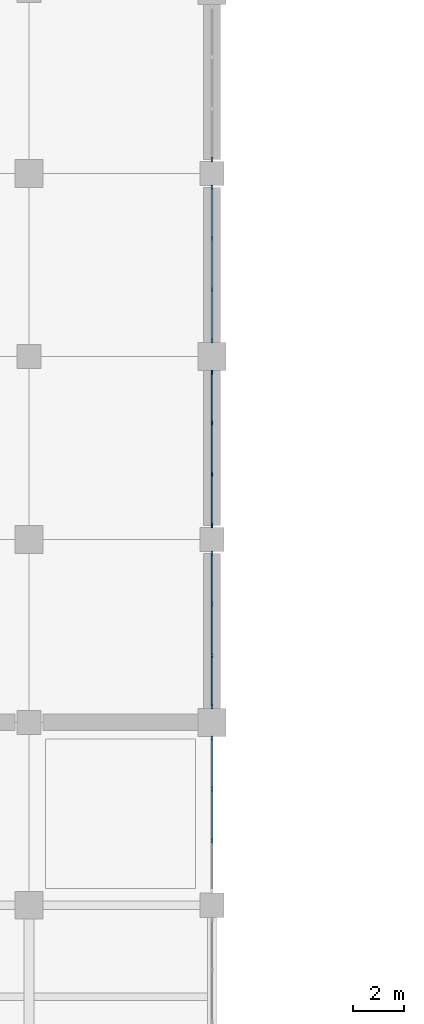
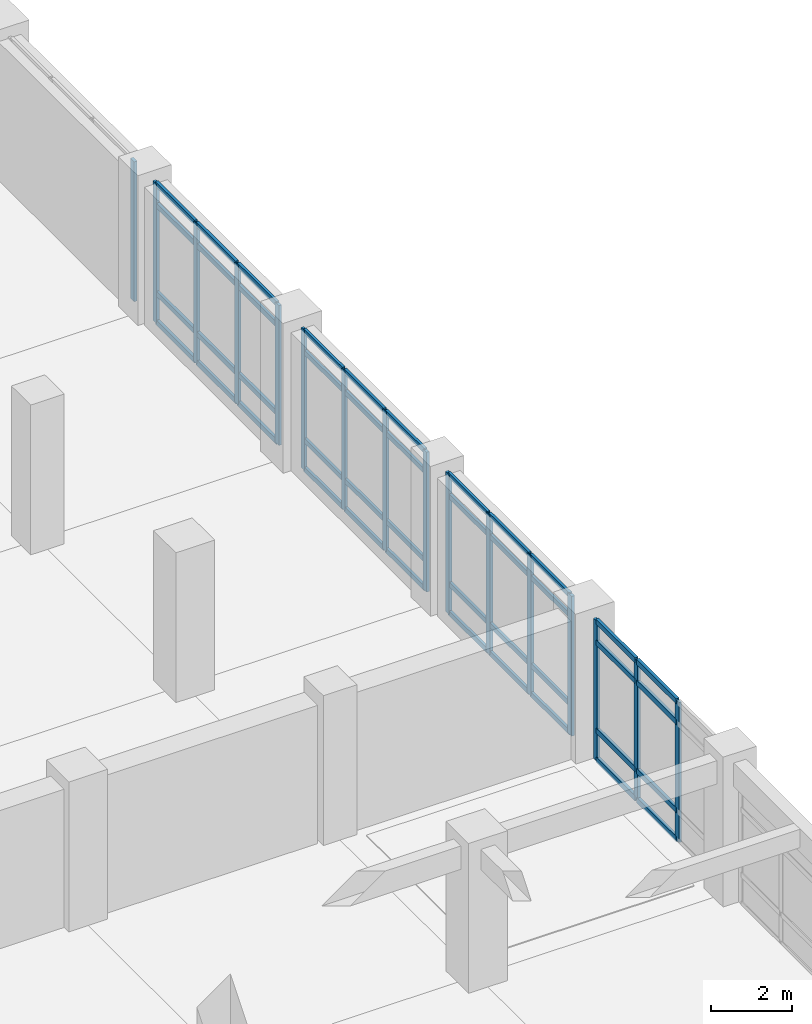
# One storey, part 7 of 81: 60 members, 5 elements without a shape of their own.
"""IFC4 building model written with IfcOpenShell, lengths in metres."""

from ifc_helpers import new_model, si_unit, direction, frame, origin, origin_2d, place, context, subcontext, project, spatial, rectangle, extrude, material, layer, layer_set, material_profile, profile_set, type_object, element, aggregate, save


model = new_model("IFC4")

# Units and contexts
model_context = context("Model", 3, precision=1e-05, world=origin(), true_north=direction((0.0, 1.0)))
body_context = subcontext(model_context, "Body", "Model", "MODEL_VIEW")
ifc_project = project(units=[si_unit("LENGTHUNIT", "METRE"), si_unit("AREAUNIT", "SQUARE_METRE"), si_unit("VOLUMEUNIT", "CUBIC_METRE"), si_unit("PLANEANGLEUNIT", "RADIAN"), si_unit("MASSUNIT", "GRAM", prefix="KILO")], contexts=[model_context])

# Site, building, storey
site_placement = place(None, origin())
site = spatial("IfcSite", under=ifc_project, at=site_placement, CompositionType="ELEMENT")
building_placement = place(site_placement, origin())
building = spatial("IfcBuilding", under=site, at=building_placement, Name="Kavelor Marine Aquarium", CompositionType="ELEMENT")
storey_placement = place(building_placement, frame((0.0, 0.0, 4.679931640625)))
storey = spatial("IfcBuildingStorey", under=building, at=storey_placement, Name="L01", CompositionType="ELEMENT", Elevation=4.679931640625)

# Curtain wall, members
ifc_material_1 = material(Name="Thermally Broken Aluminium and Low-E Glass", Category="aluminium")
ifc_layer_1 = layer(ifc_material_1, 0.2919921875)
ifc_layer_set_1 = layer_set([ifc_layer_1], Name="CW-SYS19")
curtain_wall_type_1 = type_object("IfcCurtainWallType", Name="CW-SYS19", PredefinedType="USERDEFINED", material=ifc_layer_set_1)
curtain_wall_1_placement = place(storey_placement, origin())
curtain_wall_1 = element("IfcCurtainWall", 1, at=curtain_wall_1_placement, inside=storey, type_object=curtain_wall_type_1, Name="cw:y:L01:05_06", ObjectType="Curtain Wall", PredefinedType="USERDEFINED")
ifc_material_2 = material(Name="Anodised Aluminium Alloy 6063-T6", Category="aluminium")
ifc_material_profile_1 = material_profile(ifc_material_2, rectangle(XDim=0.074951171875, YDim=0.179931640625, at=origin_2d()), Name="CW-MUL 75x180")
ifc_profile_set_1 = profile_set([ifc_material_profile_1], Name="Anodised Aluminium Alloy 6063-T6")
member_type_1 = type_object("IfcMemberType", Name="CWM-1", PredefinedType="MULLION", material=ifc_profile_set_1)
member_1_placement = place(storey_placement, frame((39.199951171875, 46.5576171875, 0.0), z_axis=(0.0, 0.0, 1.0), x_axis=(-1.0, 0.0, 0.0)))
member_1 = element("IfcMember", 2, at=member_1_placement, type_object=member_type_1, Name="CW19 mullion 1", PredefinedType="MULLION", context=body_context, shape_type="SweptSolid", body=[
    extrude(rectangle(XDim=0.074951171875, YDim=0.179931640625, at=origin_2d()), origin(), (0.0, 0.0, 1.0), 4.199951171875),
])
member_2_placement = place(storey_placement, frame((39.199951171875, 48.54833984375, 0.0), z_axis=(0.0, 0.0, 1.0), x_axis=(-1.0, 0.0, 0.0)))
member_2 = element("IfcMember", 3, at=member_2_placement, type_object=member_type_1, Name="CW19 mullion 2", PredefinedType="MULLION", context=body_context, shape_type="SweptSolid", body=[
    extrude(rectangle(XDim=0.074951171875, YDim=0.179931640625, at=origin_2d()), origin(), (0.0, 0.0, 1.0), 4.199951171875),
])
member_3_placement = place(storey_placement, frame((39.199951171875, 50.57666015625, 0.0), z_axis=(0.0, 0.0, 1.0), x_axis=(-1.0, 0.0, 0.0)))
member_3 = element("IfcMember", 4, at=member_3_placement, type_object=member_type_1, Name="CW19 mullion 3", PredefinedType="MULLION", context=body_context, shape_type="SweptSolid", body=[
    extrude(rectangle(XDim=0.074951171875, YDim=0.179931640625, at=origin_2d()), origin(), (0.0, 0.0, 1.0), 4.199951171875),
])
member_4_placement = place(storey_placement, frame((39.199951171875, 52.5673828125, 0.0), z_axis=(0.0, 0.0, 1.0), x_axis=(-1.0, 0.0, 0.0)))
member_4 = element("IfcMember", 5, at=member_4_placement, type_object=member_type_1, Name="CW19 mullion 4", PredefinedType="MULLION", context=body_context, shape_type="SweptSolid", body=[
    extrude(rectangle(XDim=0.074951171875, YDim=0.179931640625, at=origin_2d()), origin(), (0.0, 0.0, 1.0), 4.199951171875),
])

ifc_material_3 = material(Name="Thermally Broken Aluminium and Low-E Glass", Category="aluminium")
ifc_layer_2 = layer(ifc_material_3, 0.27587890625)
ifc_layer_set_2 = layer_set([ifc_layer_2], Name="CW-SYS17")
curtain_wall_type_2 = type_object("IfcCurtainWallType", Name="CW-SYS17", PredefinedType="USERDEFINED", material=ifc_layer_set_2)
curtain_wall_2_placement = place(storey_placement, origin())
curtain_wall_2 = element("IfcCurtainWall", 6, at=curtain_wall_2_placement, inside=storey, type_object=curtain_wall_type_2, Name="cw:y:L01:05_04", ObjectType="Curtain Wall", PredefinedType="USERDEFINED")
ifc_material_4 = material(Name="Anodised Aluminium Alloy 6063-T6", Category="aluminium")
ifc_material_profile_2 = material_profile(ifc_material_4, rectangle(XDim=0.080078125, YDim=0.18505859375, at=origin_2d()), Name="CW-MUL 80x185")
ifc_profile_set_2 = profile_set([ifc_material_profile_2], Name="Anodised Aluminium Alloy 6063-T6")
member_type_2 = type_object("IfcMemberType", Name="CWM-2", PredefinedType="MULLION", material=ifc_profile_set_2)
member_5_placement = place(storey_placement, frame((39.199951171875, 34.1484375, 0.0), z_axis=(0.0, 0.0, 1.0), x_axis=(-1.0, 0.0, 0.0)))
member_5 = element("IfcMember", 7, at=member_5_placement, type_object=member_type_2, Name="CW17 mullion 2", PredefinedType="MULLION", context=body_context, shape_type="SweptSolid", body=[
    extrude(rectangle(XDim=0.080078125, YDim=0.18505859375, at=origin_2d()), origin(), (0.0, 0.0, 1.0), 4.199951171875),
])
member_6_placement = place(storey_placement, frame((39.199951171875, 36.1767578125, 0.0), z_axis=(0.0, 0.0, 1.0), x_axis=(-1.0, 0.0, 0.0)))
member_6 = element("IfcMember", 8, at=member_6_placement, type_object=member_type_2, Name="CW17 mullion 3", PredefinedType="MULLION", context=body_context, shape_type="SweptSolid", body=[
    extrude(rectangle(XDim=0.080078125, YDim=0.18505859375, at=origin_2d()), origin(), (0.0, 0.0, 1.0), 4.199951171875),
])
member_7_placement = place(storey_placement, frame((39.199951171875, 38.172607421875, 0.0), z_axis=(0.0, 0.0, 1.0), x_axis=(-1.0, 0.0, 0.0)))
member_7 = element("IfcMember", 9, at=member_7_placement, type_object=member_type_2, Name="CW17 mullion 4", PredefinedType="MULLION", context=body_context, shape_type="SweptSolid", body=[
    extrude(rectangle(XDim=0.080078125, YDim=0.18505859375, at=origin_2d()), origin(), (0.0, 0.0, 1.0), 4.199951171875),
])

ifc_material_5 = material(Name="Thermally Broken Aluminium and Low-E Glass", Category="aluminium")
ifc_layer_3 = layer(ifc_material_5, 0.300048828125)
ifc_layer_set_3 = layer_set([ifc_layer_3], Name="CW-SYS20")
curtain_wall_type_3 = type_object("IfcCurtainWallType", Name="CW-SYS20", PredefinedType="USERDEFINED", material=ifc_layer_set_3)
curtain_wall_3_placement = place(storey_placement, origin())
curtain_wall_3 = element("IfcCurtainWall", 10, at=curtain_wall_3_placement, inside=storey, type_object=curtain_wall_type_3, Name="cw:y:L01:05_07", ObjectType="Curtain Wall", PredefinedType="USERDEFINED")
member_8_placement = place(storey_placement, frame((39.199951171875, 53.827392578125, 0.0), z_axis=(0.0, 0.0, 1.0), x_axis=(-1.0, 0.0, 0.0)))
member_8 = element("IfcMember", 11, at=member_8_placement, type_object=member_type_2, Name="CW20 mullion 1", PredefinedType="MULLION", context=body_context, shape_type="SweptSolid", body=[
    extrude(rectangle(XDim=0.080078125, YDim=0.18505859375, at=origin_2d()), origin(), (0.0, 0.0, 1.0), 4.199951171875),
])
member_9_placement = place(storey_placement, frame((39.199951171875, 55.8232421875, 0.0), z_axis=(0.0, 0.0, 1.0), x_axis=(-1.0, 0.0, 0.0)))
member_9 = element("IfcMember", 12, at=member_9_placement, type_object=member_type_2, Name="CW20 mullion 2", PredefinedType="MULLION", context=body_context, shape_type="SweptSolid", body=[
    extrude(rectangle(XDim=0.080078125, YDim=0.18505859375, at=origin_2d()), origin(), (0.0, 0.0, 1.0), 4.199951171875),
])
member_10_placement = place(storey_placement, frame((39.199951171875, 57.8515625, 0.0), z_axis=(0.0, 0.0, 1.0), x_axis=(-1.0, 0.0, 0.0)))
member_10 = element("IfcMember", 13, at=member_10_placement, type_object=member_type_2, Name="CW20 mullion 3", PredefinedType="MULLION", context=body_context, shape_type="SweptSolid", body=[
    extrude(rectangle(XDim=0.080078125, YDim=0.18505859375, at=origin_2d()), origin(), (0.0, 0.0, 1.0), 4.199951171875),
])
member_11_placement = place(storey_placement, frame((39.199951171875, 59.847412109375, 0.0), z_axis=(0.0, 0.0, 1.0), x_axis=(-1.0, 0.0, 0.0)))
member_11 = element("IfcMember", 14, at=member_11_placement, type_object=member_type_2, Name="CW20 mullion 4", PredefinedType="MULLION", context=body_context, shape_type="SweptSolid", body=[
    extrude(rectangle(XDim=0.080078125, YDim=0.18505859375, at=origin_2d()), origin(), (0.0, 0.0, 1.0), 4.199951171875),
])

ifc_material_6 = material(Name="Thermally Broken Aluminium and Low-E Glass", Category="aluminium")
ifc_layer_4 = layer(ifc_material_6, 0.283935546875)
ifc_layer_set_4 = layer_set([ifc_layer_4], Name="CW-SYS18")
curtain_wall_type_4 = type_object("IfcCurtainWallType", Name="CW-SYS18", PredefinedType="USERDEFINED", material=ifc_layer_set_4)
curtain_wall_4_placement = place(storey_placement, origin())
curtain_wall_4 = element("IfcCurtainWall", 15, at=curtain_wall_4_placement, inside=storey, type_object=curtain_wall_type_4, Name="cw:y:L01:05_05", ObjectType="Curtain Wall", PredefinedType="USERDEFINED")
ifc_material_7 = material(Name="Anodised Aluminium Alloy 6063-T6", Category="aluminium")
ifc_material_profile_3 = material_profile(ifc_material_7, rectangle(XDim=0.0849609375, YDim=0.18994140625, at=origin_2d()), Name="CW-MUL 85x190")
ifc_profile_set_3 = profile_set([ifc_material_profile_3], Name="Anodised Aluminium Alloy 6063-T6")
member_type_3 = type_object("IfcMemberType", Name="CWM-3", PredefinedType="MULLION", material=ifc_profile_set_3)
member_12_placement = place(storey_placement, frame((39.199951171875, 39.425048828125, 0.0), z_axis=(0.0, 0.0, 1.0), x_axis=(-1.0, 0.0, 0.0)))
member_12 = element("IfcMember", 16, at=member_12_placement, type_object=member_type_3, Name="CW18 mullion 1", PredefinedType="MULLION", context=body_context, shape_type="SweptSolid", body=[
    extrude(rectangle(XDim=0.0849609375, YDim=0.18994140625, at=origin_2d()), origin(), (0.0, 0.0, 1.0), 4.199951171875),
])
member_13_placement = place(storey_placement, frame((39.199951171875, 41.42333984375, 0.0), z_axis=(0.0, 0.0, 1.0), x_axis=(-1.0, 0.0, 0.0)))
member_13 = element("IfcMember", 17, at=member_13_placement, type_object=member_type_3, Name="CW18 mullion 2", PredefinedType="MULLION", context=body_context, shape_type="SweptSolid", body=[
    extrude(rectangle(XDim=0.0849609375, YDim=0.18994140625, at=origin_2d()), origin(), (0.0, 0.0, 1.0), 4.199951171875),
])
member_14_placement = place(storey_placement, frame((39.199951171875, 43.45166015625, 0.0), z_axis=(0.0, 0.0, 1.0), x_axis=(-1.0, 0.0, 0.0)))
member_14 = element("IfcMember", 18, at=member_14_placement, type_object=member_type_3, Name="CW18 mullion 3", PredefinedType="MULLION", context=body_context, shape_type="SweptSolid", body=[
    extrude(rectangle(XDim=0.0849609375, YDim=0.18994140625, at=origin_2d()), origin(), (0.0, 0.0, 1.0), 4.199951171875),
])
member_15_placement = place(storey_placement, frame((39.199951171875, 45.449951171875, 0.0), z_axis=(0.0, 0.0, 1.0), x_axis=(-1.0, 0.0, 0.0)))
member_15 = element("IfcMember", 19, at=member_15_placement, type_object=member_type_3, Name="CW18 mullion 4", PredefinedType="MULLION", context=body_context, shape_type="SweptSolid", body=[
    extrude(rectangle(XDim=0.0849609375, YDim=0.18994140625, at=origin_2d()), origin(), (0.0, 0.0, 1.0), 4.199951171875),
])

# Curtain wall, member
ifc_material_8 = material(Name="Thermally Broken Aluminium and Low-E Glass", Category="aluminium")
ifc_layer_5 = layer(ifc_material_8, 0.30810546875)
ifc_layer_set_5 = layer_set([ifc_layer_5], Name="CW-SYS21")
curtain_wall_type_5 = type_object("IfcCurtainWallType", Name="CW-SYS21", PredefinedType="USERDEFINED", material=ifc_layer_set_5)
curtain_wall_5_placement = place(storey_placement, origin())
curtain_wall_5 = element("IfcCurtainWall", 20, at=curtain_wall_5_placement, inside=storey, type_object=curtain_wall_type_5, Name="cw:y:L01:05_08", ObjectType="Curtain Wall", PredefinedType="USERDEFINED")
member_16_placement = place(storey_placement, frame((39.199951171875, 60.949951171875, 0.0), z_axis=(0.0, 0.0, 1.0), x_axis=(-1.0, 0.0, 0.0)))
member_16 = element("IfcMember", 21, at=member_16_placement, type_object=member_type_3, Name="CW21 mullion 1", PredefinedType="MULLION", context=body_context, shape_type="SweptSolid", body=[
    extrude(rectangle(XDim=0.0849609375, YDim=0.18994140625, at=origin_2d()), origin(), (0.0, 0.0, 1.0), 4.199951171875),
])
aggregate(curtain_wall_5, [member_16])

# Member
ifc_material_9 = material(Name="Anodised Aluminium Alloy 6063-T6", Category="aluminium")
ifc_material_profile_4 = material_profile(ifc_material_9, rectangle(XDim=0.074951171875, YDim=0.14990234375, at=origin_2d()), Name="CW-TRN 75x150")
ifc_profile_set_4 = profile_set([ifc_material_profile_4], Name="Anodised Aluminium Alloy 6063-T6")
member_type_4 = type_object("IfcMemberType", Name="CWT-1", PredefinedType="USERDEFINED", material=ifc_profile_set_4)
member_17_placement = place(storey_placement, frame((39.199951171875, 39.455078125, 0.03759765625), z_axis=(0.0, 1.0, 0.0), x_axis=(-1.0, 0.0, 0.0)))
member_17 = element("IfcMember", 22, at=member_17_placement, type_object=member_type_4, Name="CW18 transom 1.1", ObjectType="TRANSOM", PredefinedType="USERDEFINED", context=body_context, shape_type="SweptSolid", body=[
    extrude(rectangle(XDim=0.074951171875, YDim=0.14990234375, at=origin_2d()), origin(), (0.0, 0.0, 1.0), 1.938232421875),
])

member_18_placement = place(storey_placement, frame((39.199951171875, 39.455078125, 0.900146484375), z_axis=(0.0, 1.0, 0.0), x_axis=(-1.0, 0.0, 0.0)))
member_18 = element("IfcMember", 23, at=member_18_placement, type_object=member_type_4, Name="CW18 transom 1.2", ObjectType="TRANSOM", PredefinedType="USERDEFINED", context=body_context, shape_type="SweptSolid", body=[
    extrude(rectangle(XDim=0.074951171875, YDim=0.14990234375, at=origin_2d()), origin(), (0.0, 0.0, 1.0), 1.938232421875),
])

member_19_placement = place(storey_placement, frame((39.199951171875, 39.455078125, 3.550048828125), z_axis=(0.0, 1.0, 0.0), x_axis=(-1.0, 0.0, 0.0)))
member_19 = element("IfcMember", 24, at=member_19_placement, type_object=member_type_4, Name="CW18 transom 1.3", ObjectType="TRANSOM", PredefinedType="USERDEFINED", context=body_context, shape_type="SweptSolid", body=[
    extrude(rectangle(XDim=0.074951171875, YDim=0.14990234375, at=origin_2d()), origin(), (0.0, 0.0, 1.0), 1.938232421875),
])

member_20_placement = place(storey_placement, frame((39.199951171875, 39.455078125, 4.16259765625), z_axis=(0.0, 1.0, 0.0), x_axis=(-1.0, 0.0, 0.0)))
member_20 = element("IfcMember", 25, at=member_20_placement, type_object=member_type_4, Name="CW18 transom 1.4", ObjectType="TRANSOM", PredefinedType="USERDEFINED", context=body_context, shape_type="SweptSolid", body=[
    extrude(rectangle(XDim=0.074951171875, YDim=0.14990234375, at=origin_2d()), origin(), (0.0, 0.0, 1.0), 1.938232421875),
])

member_21_placement = place(storey_placement, frame((39.199951171875, 41.453369140625, 0.03759765625), z_axis=(0.0, 1.0, 0.0), x_axis=(-1.0, 0.0, 0.0)))
member_21 = element("IfcMember", 26, at=member_21_placement, type_object=member_type_4, Name="CW18 transom 2.1", ObjectType="TRANSOM", PredefinedType="USERDEFINED", context=body_context, shape_type="SweptSolid", body=[
    extrude(rectangle(XDim=0.074951171875, YDim=0.14990234375, at=origin_2d()), origin(), (0.0, 0.0, 1.0), 1.96826171875),
])

member_22_placement = place(storey_placement, frame((39.199951171875, 41.453369140625, 0.900146484375), z_axis=(0.0, 1.0, 0.0), x_axis=(-1.0, 0.0, 0.0)))
member_22 = element("IfcMember", 27, at=member_22_placement, type_object=member_type_4, Name="CW18 transom 2.2", ObjectType="TRANSOM", PredefinedType="USERDEFINED", context=body_context, shape_type="SweptSolid", body=[
    extrude(rectangle(XDim=0.074951171875, YDim=0.14990234375, at=origin_2d()), origin(), (0.0, 0.0, 1.0), 1.96826171875),
])

member_23_placement = place(storey_placement, frame((39.199951171875, 41.453369140625, 3.550048828125), z_axis=(0.0, 1.0, 0.0), x_axis=(-1.0, 0.0, 0.0)))
member_23 = element("IfcMember", 28, at=member_23_placement, type_object=member_type_4, Name="CW18 transom 2.3", ObjectType="TRANSOM", PredefinedType="USERDEFINED", context=body_context, shape_type="SweptSolid", body=[
    extrude(rectangle(XDim=0.074951171875, YDim=0.14990234375, at=origin_2d()), origin(), (0.0, 0.0, 1.0), 1.96826171875),
])

member_24_placement = place(storey_placement, frame((39.199951171875, 41.453369140625, 4.16259765625), z_axis=(0.0, 1.0, 0.0), x_axis=(-1.0, 0.0, 0.0)))
member_24 = element("IfcMember", 29, at=member_24_placement, type_object=member_type_4, Name="CW18 transom 2.4", ObjectType="TRANSOM", PredefinedType="USERDEFINED", context=body_context, shape_type="SweptSolid", body=[
    extrude(rectangle(XDim=0.074951171875, YDim=0.14990234375, at=origin_2d()), origin(), (0.0, 0.0, 1.0), 1.96826171875),
])

member_25_placement = place(storey_placement, frame((39.199951171875, 43.481689453125, 0.03759765625), z_axis=(0.0, 1.0, 0.0), x_axis=(-1.0, 0.0, 0.0)))
member_25 = element("IfcMember", 30, at=member_25_placement, type_object=member_type_4, Name="CW18 transom 3.1", ObjectType="TRANSOM", PredefinedType="USERDEFINED", context=body_context, shape_type="SweptSolid", body=[
    extrude(rectangle(XDim=0.074951171875, YDim=0.14990234375, at=origin_2d()), origin(), (0.0, 0.0, 1.0), 1.938232421875),
])

member_26_placement = place(storey_placement, frame((39.199951171875, 43.481689453125, 0.900146484375), z_axis=(0.0, 1.0, 0.0), x_axis=(-1.0, 0.0, 0.0)))
member_26 = element("IfcMember", 31, at=member_26_placement, type_object=member_type_4, Name="CW18 transom 3.2", ObjectType="TRANSOM", PredefinedType="USERDEFINED", context=body_context, shape_type="SweptSolid", body=[
    extrude(rectangle(XDim=0.074951171875, YDim=0.14990234375, at=origin_2d()), origin(), (0.0, 0.0, 1.0), 1.938232421875),
])

member_27_placement = place(storey_placement, frame((39.199951171875, 43.481689453125, 3.550048828125), z_axis=(0.0, 1.0, 0.0), x_axis=(-1.0, 0.0, 0.0)))
member_27 = element("IfcMember", 32, at=member_27_placement, type_object=member_type_4, Name="CW18 transom 3.3", ObjectType="TRANSOM", PredefinedType="USERDEFINED", context=body_context, shape_type="SweptSolid", body=[
    extrude(rectangle(XDim=0.074951171875, YDim=0.14990234375, at=origin_2d()), origin(), (0.0, 0.0, 1.0), 1.938232421875),
])

member_28_placement = place(storey_placement, frame((39.199951171875, 43.481689453125, 4.16259765625), z_axis=(0.0, 1.0, 0.0), x_axis=(-1.0, 0.0, 0.0)))
member_28 = element("IfcMember", 33, at=member_28_placement, type_object=member_type_4, Name="CW18 transom 3.4", ObjectType="TRANSOM", PredefinedType="USERDEFINED", context=body_context, shape_type="SweptSolid", body=[
    extrude(rectangle(XDim=0.074951171875, YDim=0.14990234375, at=origin_2d()), origin(), (0.0, 0.0, 1.0), 1.938232421875),
])

aggregate(curtain_wall_4, [member_12, member_13, member_14, member_15, member_17, member_18, member_19, member_20, member_21, member_22, member_23, member_24, member_25, member_26, member_27, member_28])

member_29_placement = place(storey_placement, frame((39.199951171875, 46.594970703125, 0.03759765625), z_axis=(0.0, 1.0, 0.0), x_axis=(-1.0, 0.0, 0.0)))
member_29 = element("IfcMember", 34, at=member_29_placement, type_object=member_type_4, Name="CW19 transom 1.1", ObjectType="TRANSOM", PredefinedType="USERDEFINED", context=body_context, shape_type="SweptSolid", body=[
    extrude(rectangle(XDim=0.074951171875, YDim=0.14990234375, at=origin_2d()), origin(), (0.0, 0.0, 1.0), 1.915771484375),
])

member_30_placement = place(storey_placement, frame((39.199951171875, 46.594970703125, 0.900146484375), z_axis=(0.0, 1.0, 0.0), x_axis=(-1.0, 0.0, 0.0)))
member_30 = element("IfcMember", 35, at=member_30_placement, type_object=member_type_4, Name="CW19 transom 1.2", ObjectType="TRANSOM", PredefinedType="USERDEFINED", context=body_context, shape_type="SweptSolid", body=[
    extrude(rectangle(XDim=0.074951171875, YDim=0.14990234375, at=origin_2d()), origin(), (0.0, 0.0, 1.0), 1.915771484375),
])

member_31_placement = place(storey_placement, frame((39.199951171875, 46.594970703125, 3.550048828125), z_axis=(0.0, 1.0, 0.0), x_axis=(-1.0, 0.0, 0.0)))
member_31 = element("IfcMember", 36, at=member_31_placement, type_object=member_type_4, Name="CW19 transom 1.3", ObjectType="TRANSOM", PredefinedType="USERDEFINED", context=body_context, shape_type="SweptSolid", body=[
    extrude(rectangle(XDim=0.074951171875, YDim=0.14990234375, at=origin_2d()), origin(), (0.0, 0.0, 1.0), 1.915771484375),
])

member_32_placement = place(storey_placement, frame((39.199951171875, 46.594970703125, 4.16259765625), z_axis=(0.0, 1.0, 0.0), x_axis=(-1.0, 0.0, 0.0)))
member_32 = element("IfcMember", 37, at=member_32_placement, type_object=member_type_4, Name="CW19 transom 1.4", ObjectType="TRANSOM", PredefinedType="USERDEFINED", context=body_context, shape_type="SweptSolid", body=[
    extrude(rectangle(XDim=0.074951171875, YDim=0.14990234375, at=origin_2d()), origin(), (0.0, 0.0, 1.0), 1.915771484375),
])

member_33_placement = place(storey_placement, frame((39.199951171875, 48.5859375, 0.03759765625), z_axis=(0.0, 1.0, 0.0), x_axis=(-1.0, 0.0, 0.0)))
member_33 = element("IfcMember", 38, at=member_33_placement, type_object=member_type_4, Name="CW19 transom 2.1", ObjectType="TRANSOM", PredefinedType="USERDEFINED", context=body_context, shape_type="SweptSolid", body=[
    extrude(rectangle(XDim=0.074951171875, YDim=0.14990234375, at=origin_2d()), origin(), (0.0, 0.0, 1.0), 1.953125),
])

member_34_placement = place(storey_placement, frame((39.199951171875, 48.5859375, 0.900146484375), z_axis=(0.0, 1.0, 0.0), x_axis=(-1.0, 0.0, 0.0)))
member_34 = element("IfcMember", 39, at=member_34_placement, type_object=member_type_4, Name="CW19 transom 2.2", ObjectType="TRANSOM", PredefinedType="USERDEFINED", context=body_context, shape_type="SweptSolid", body=[
    extrude(rectangle(XDim=0.074951171875, YDim=0.14990234375, at=origin_2d()), origin(), (0.0, 0.0, 1.0), 1.953125),
])

member_35_placement = place(storey_placement, frame((39.199951171875, 48.5859375, 3.550048828125), z_axis=(0.0, 1.0, 0.0), x_axis=(-1.0, 0.0, 0.0)))
member_35 = element("IfcMember", 40, at=member_35_placement, type_object=member_type_4, Name="CW19 transom 2.3", ObjectType="TRANSOM", PredefinedType="USERDEFINED", context=body_context, shape_type="SweptSolid", body=[
    extrude(rectangle(XDim=0.074951171875, YDim=0.14990234375, at=origin_2d()), origin(), (0.0, 0.0, 1.0), 1.953125),
])

member_36_placement = place(storey_placement, frame((39.199951171875, 48.5859375, 4.16259765625), z_axis=(0.0, 1.0, 0.0), x_axis=(-1.0, 0.0, 0.0)))
member_36 = element("IfcMember", 41, at=member_36_placement, type_object=member_type_4, Name="CW19 transom 2.4", ObjectType="TRANSOM", PredefinedType="USERDEFINED", context=body_context, shape_type="SweptSolid", body=[
    extrude(rectangle(XDim=0.074951171875, YDim=0.14990234375, at=origin_2d()), origin(), (0.0, 0.0, 1.0), 1.953125),
])

member_37_placement = place(storey_placement, frame((39.199951171875, 50.6142578125, 0.03759765625), z_axis=(0.0, 1.0, 0.0), x_axis=(-1.0, 0.0, 0.0)))
member_37 = element("IfcMember", 42, at=member_37_placement, type_object=member_type_4, Name="CW19 transom 3.1", ObjectType="TRANSOM", PredefinedType="USERDEFINED", context=body_context, shape_type="SweptSolid", body=[
    extrude(rectangle(XDim=0.074951171875, YDim=0.14990234375, at=origin_2d()), origin(), (0.0, 0.0, 1.0), 1.915771484375),
])

member_38_placement = place(storey_placement, frame((39.199951171875, 50.6142578125, 0.900146484375), z_axis=(0.0, 1.0, 0.0), x_axis=(-1.0, 0.0, 0.0)))
member_38 = element("IfcMember", 43, at=member_38_placement, type_object=member_type_4, Name="CW19 transom 3.2", ObjectType="TRANSOM", PredefinedType="USERDEFINED", context=body_context, shape_type="SweptSolid", body=[
    extrude(rectangle(XDim=0.074951171875, YDim=0.14990234375, at=origin_2d()), origin(), (0.0, 0.0, 1.0), 1.915771484375),
])

member_39_placement = place(storey_placement, frame((39.199951171875, 50.6142578125, 3.550048828125), z_axis=(0.0, 1.0, 0.0), x_axis=(-1.0, 0.0, 0.0)))
member_39 = element("IfcMember", 44, at=member_39_placement, type_object=member_type_4, Name="CW19 transom 3.3", ObjectType="TRANSOM", PredefinedType="USERDEFINED", context=body_context, shape_type="SweptSolid", body=[
    extrude(rectangle(XDim=0.074951171875, YDim=0.14990234375, at=origin_2d()), origin(), (0.0, 0.0, 1.0), 1.915771484375),
])

member_40_placement = place(storey_placement, frame((39.199951171875, 50.6142578125, 4.16259765625), z_axis=(0.0, 1.0, 0.0), x_axis=(-1.0, 0.0, 0.0)))
member_40 = element("IfcMember", 45, at=member_40_placement, type_object=member_type_4, Name="CW19 transom 3.4", ObjectType="TRANSOM", PredefinedType="USERDEFINED", context=body_context, shape_type="SweptSolid", body=[
    extrude(rectangle(XDim=0.074951171875, YDim=0.14990234375, at=origin_2d()), origin(), (0.0, 0.0, 1.0), 1.915771484375),
])

aggregate(curtain_wall_1, [member_1, member_2, member_3, member_4, member_29, member_30, member_31, member_32, member_33, member_34, member_35, member_36, member_37, member_38, member_39, member_40])

ifc_material_10 = material(Name="Anodised Aluminium Alloy 6063-T6", Category="aluminium")
ifc_material_profile_5 = material_profile(ifc_material_10, rectangle(XDim=0.080078125, YDim=0.155029296875, at=origin_2d()), Name="CW-TRN 80x155")
ifc_profile_set_5 = profile_set([ifc_material_profile_5], Name="Anodised Aluminium Alloy 6063-T6")
member_type_5 = type_object("IfcMemberType", Name="CWT-2", PredefinedType="USERDEFINED", material=ifc_profile_set_5)
member_41_placement = place(storey_placement, frame((39.199951171875, 53.860107421875, 0.032470703125), z_axis=(0.0, 1.0, 0.0), x_axis=(-1.0, 0.0, 0.0)))
member_41 = element("IfcMember", 46, at=member_41_placement, type_object=member_type_5, Name="CW20 transom 1.1", ObjectType="TRANSOM", PredefinedType="USERDEFINED", context=body_context, shape_type="SweptSolid", body=[
    extrude(rectangle(XDim=0.080078125, YDim=0.155029296875, at=origin_2d()), origin(), (0.0, 0.0, 1.0), 1.9306640625),
])

member_42_placement = place(storey_placement, frame((39.199951171875, 53.860107421875, 0.900146484375), z_axis=(0.0, 1.0, 0.0), x_axis=(-1.0, 0.0, 0.0)))
member_42 = element("IfcMember", 47, at=member_42_placement, type_object=member_type_5, Name="CW20 transom 1.2", ObjectType="TRANSOM", PredefinedType="USERDEFINED", context=body_context, shape_type="SweptSolid", body=[
    extrude(rectangle(XDim=0.080078125, YDim=0.155029296875, at=origin_2d()), origin(), (0.0, 0.0, 1.0), 1.9306640625),
])

member_43_placement = place(storey_placement, frame((39.199951171875, 53.860107421875, 3.550048828125), z_axis=(0.0, 1.0, 0.0), x_axis=(-1.0, 0.0, 0.0)))
member_43 = element("IfcMember", 48, at=member_43_placement, type_object=member_type_5, Name="CW20 transom 1.3", ObjectType="TRANSOM", PredefinedType="USERDEFINED", context=body_context, shape_type="SweptSolid", body=[
    extrude(rectangle(XDim=0.080078125, YDim=0.155029296875, at=origin_2d()), origin(), (0.0, 0.0, 1.0), 1.9306640625),
])

member_44_placement = place(storey_placement, frame((39.199951171875, 53.860107421875, 4.16748046875), z_axis=(0.0, 1.0, 0.0), x_axis=(-1.0, 0.0, 0.0)))
member_44 = element("IfcMember", 49, at=member_44_placement, type_object=member_type_5, Name="CW20 transom 1.4", ObjectType="TRANSOM", PredefinedType="USERDEFINED", context=body_context, shape_type="SweptSolid", body=[
    extrude(rectangle(XDim=0.080078125, YDim=0.155029296875, at=origin_2d()), origin(), (0.0, 0.0, 1.0), 1.9306640625),
])

member_45_placement = place(storey_placement, frame((39.199951171875, 55.855712890625, 0.032470703125), z_axis=(0.0, 1.0, 0.0), x_axis=(-1.0, 0.0, 0.0)))
member_45 = element("IfcMember", 50, at=member_45_placement, type_object=member_type_5, Name="CW20 transom 2.1", ObjectType="TRANSOM", PredefinedType="USERDEFINED", context=body_context, shape_type="SweptSolid", body=[
    extrude(rectangle(XDim=0.080078125, YDim=0.155029296875, at=origin_2d()), origin(), (0.0, 0.0, 1.0), 1.96337890625),
])

member_46_placement = place(storey_placement, frame((39.199951171875, 55.855712890625, 0.900146484375), z_axis=(0.0, 1.0, 0.0), x_axis=(-1.0, 0.0, 0.0)))
member_46 = element("IfcMember", 51, at=member_46_placement, type_object=member_type_5, Name="CW20 transom 2.2", ObjectType="TRANSOM", PredefinedType="USERDEFINED", context=body_context, shape_type="SweptSolid", body=[
    extrude(rectangle(XDim=0.080078125, YDim=0.155029296875, at=origin_2d()), origin(), (0.0, 0.0, 1.0), 1.96337890625),
])

member_47_placement = place(storey_placement, frame((39.199951171875, 55.855712890625, 3.550048828125), z_axis=(0.0, 1.0, 0.0), x_axis=(-1.0, 0.0, 0.0)))
member_47 = element("IfcMember", 52, at=member_47_placement, type_object=member_type_5, Name="CW20 transom 2.3", ObjectType="TRANSOM", PredefinedType="USERDEFINED", context=body_context, shape_type="SweptSolid", body=[
    extrude(rectangle(XDim=0.080078125, YDim=0.155029296875, at=origin_2d()), origin(), (0.0, 0.0, 1.0), 1.96337890625),
])

member_48_placement = place(storey_placement, frame((39.199951171875, 55.855712890625, 4.16748046875), z_axis=(0.0, 1.0, 0.0), x_axis=(-1.0, 0.0, 0.0)))
member_48 = element("IfcMember", 53, at=member_48_placement, type_object=member_type_5, Name="CW20 transom 2.4", ObjectType="TRANSOM", PredefinedType="USERDEFINED", context=body_context, shape_type="SweptSolid", body=[
    extrude(rectangle(XDim=0.080078125, YDim=0.155029296875, at=origin_2d()), origin(), (0.0, 0.0, 1.0), 1.96337890625),
])

member_49_placement = place(storey_placement, frame((39.199951171875, 57.88427734375, 0.032470703125), z_axis=(0.0, 1.0, 0.0), x_axis=(-1.0, 0.0, 0.0)))
member_49 = element("IfcMember", 54, at=member_49_placement, type_object=member_type_5, Name="CW20 transom 3.1", ObjectType="TRANSOM", PredefinedType="USERDEFINED", context=body_context, shape_type="SweptSolid", body=[
    extrude(rectangle(XDim=0.080078125, YDim=0.155029296875, at=origin_2d()), origin(), (0.0, 0.0, 1.0), 1.9306640625),
])

member_50_placement = place(storey_placement, frame((39.199951171875, 57.88427734375, 0.900146484375), z_axis=(0.0, 1.0, 0.0), x_axis=(-1.0, 0.0, 0.0)))
member_50 = element("IfcMember", 55, at=member_50_placement, type_object=member_type_5, Name="CW20 transom 3.2", ObjectType="TRANSOM", PredefinedType="USERDEFINED", context=body_context, shape_type="SweptSolid", body=[
    extrude(rectangle(XDim=0.080078125, YDim=0.155029296875, at=origin_2d()), origin(), (0.0, 0.0, 1.0), 1.9306640625),
])

member_51_placement = place(storey_placement, frame((39.199951171875, 57.88427734375, 3.550048828125), z_axis=(0.0, 1.0, 0.0), x_axis=(-1.0, 0.0, 0.0)))
member_51 = element("IfcMember", 56, at=member_51_placement, type_object=member_type_5, Name="CW20 transom 3.3", ObjectType="TRANSOM", PredefinedType="USERDEFINED", context=body_context, shape_type="SweptSolid", body=[
    extrude(rectangle(XDim=0.080078125, YDim=0.155029296875, at=origin_2d()), origin(), (0.0, 0.0, 1.0), 1.9306640625),
])

member_52_placement = place(storey_placement, frame((39.199951171875, 57.88427734375, 4.16748046875), z_axis=(0.0, 1.0, 0.0), x_axis=(-1.0, 0.0, 0.0)))
member_52 = element("IfcMember", 57, at=member_52_placement, type_object=member_type_5, Name="CW20 transom 3.4", ObjectType="TRANSOM", PredefinedType="USERDEFINED", context=body_context, shape_type="SweptSolid", body=[
    extrude(rectangle(XDim=0.080078125, YDim=0.155029296875, at=origin_2d()), origin(), (0.0, 0.0, 1.0), 1.9306640625),
])

aggregate(curtain_wall_3, [member_8, member_9, member_10, member_11, member_41, member_42, member_43, member_44, member_45, member_46, member_47, member_48, member_49, member_50, member_51, member_52])

ifc_material_11 = material(Name="Anodised Aluminium Alloy 6063-T6", Category="aluminium")
ifc_material_profile_6 = material_profile(ifc_material_11, rectangle(XDim=0.0849609375, YDim=0.159912109375, at=origin_2d()), Name="CW-TRN 85x160")
ifc_profile_set_6 = profile_set([ifc_material_profile_6], Name="Anodised Aluminium Alloy 6063-T6")
member_type_6 = type_object("IfcMemberType", Name="CWT-3", PredefinedType="USERDEFINED", material=ifc_profile_set_6)
member_53_placement = place(storey_placement, frame((39.199951171875, 34.180908203125, 0.030029296875), z_axis=(0.0, 1.0, 0.0), x_axis=(-1.0, 0.0, 0.0)))
member_53 = element("IfcMember", 58, at=member_53_placement, type_object=member_type_6, Name="CW17 transom 2.1", ObjectType="TRANSOM", PredefinedType="USERDEFINED", context=body_context, shape_type="SweptSolid", body=[
    extrude(rectangle(XDim=0.0849609375, YDim=0.159912109375, at=origin_2d()), origin(), (0.0, 0.0, 1.0), 1.96337890625),
])

member_54_placement = place(storey_placement, frame((39.199951171875, 34.180908203125, 0.900146484375), z_axis=(0.0, 1.0, 0.0), x_axis=(-1.0, 0.0, 0.0)))
member_54 = element("IfcMember", 59, at=member_54_placement, type_object=member_type_6, Name="CW17 transom 2.2", ObjectType="TRANSOM", PredefinedType="USERDEFINED", context=body_context, shape_type="SweptSolid", body=[
    extrude(rectangle(XDim=0.0849609375, YDim=0.159912109375, at=origin_2d()), origin(), (0.0, 0.0, 1.0), 1.96337890625),
])

member_55_placement = place(storey_placement, frame((39.199951171875, 34.180908203125, 3.550048828125), z_axis=(0.0, 1.0, 0.0), x_axis=(-1.0, 0.0, 0.0)))
member_55 = element("IfcMember", 60, at=member_55_placement, type_object=member_type_6, Name="CW17 transom 2.3", ObjectType="TRANSOM", PredefinedType="USERDEFINED", context=body_context, shape_type="SweptSolid", body=[
    extrude(rectangle(XDim=0.0849609375, YDim=0.159912109375, at=origin_2d()), origin(), (0.0, 0.0, 1.0), 1.96337890625),
])

member_56_placement = place(storey_placement, frame((39.199951171875, 34.180908203125, 4.170166015625), z_axis=(0.0, 1.0, 0.0), x_axis=(-1.0, 0.0, 0.0)))
member_56 = element("IfcMember", 61, at=member_56_placement, type_object=member_type_6, Name="CW17 transom 2.4", ObjectType="TRANSOM", PredefinedType="USERDEFINED", context=body_context, shape_type="SweptSolid", body=[
    extrude(rectangle(XDim=0.0849609375, YDim=0.159912109375, at=origin_2d()), origin(), (0.0, 0.0, 1.0), 1.96337890625),
])

member_57_placement = place(storey_placement, frame((39.199951171875, 36.209228515625, 0.030029296875), z_axis=(0.0, 1.0, 0.0), x_axis=(-1.0, 0.0, 0.0)))
member_57 = element("IfcMember", 62, at=member_57_placement, type_object=member_type_6, Name="CW17 transom 3.1", ObjectType="TRANSOM", PredefinedType="USERDEFINED", context=body_context, shape_type="SweptSolid", body=[
    extrude(rectangle(XDim=0.0849609375, YDim=0.159912109375, at=origin_2d()), origin(), (0.0, 0.0, 1.0), 1.9306640625),
])

member_58_placement = place(storey_placement, frame((39.199951171875, 36.209228515625, 0.900146484375), z_axis=(0.0, 1.0, 0.0), x_axis=(-1.0, 0.0, 0.0)))
member_58 = element("IfcMember", 63, at=member_58_placement, type_object=member_type_6, Name="CW17 transom 3.2", ObjectType="TRANSOM", PredefinedType="USERDEFINED", context=body_context, shape_type="SweptSolid", body=[
    extrude(rectangle(XDim=0.0849609375, YDim=0.159912109375, at=origin_2d()), origin(), (0.0, 0.0, 1.0), 1.9306640625),
])

member_59_placement = place(storey_placement, frame((39.199951171875, 36.209228515625, 3.550048828125), z_axis=(0.0, 1.0, 0.0), x_axis=(-1.0, 0.0, 0.0)))
member_59 = element("IfcMember", 64, at=member_59_placement, type_object=member_type_6, Name="CW17 transom 3.3", ObjectType="TRANSOM", PredefinedType="USERDEFINED", context=body_context, shape_type="SweptSolid", body=[
    extrude(rectangle(XDim=0.0849609375, YDim=0.159912109375, at=origin_2d()), origin(), (0.0, 0.0, 1.0), 1.9306640625),
])

member_60_placement = place(storey_placement, frame((39.199951171875, 36.209228515625, 4.170166015625), z_axis=(0.0, 1.0, 0.0), x_axis=(-1.0, 0.0, 0.0)))
member_60 = element("IfcMember", 65, at=member_60_placement, type_object=member_type_6, Name="CW17 transom 3.4", ObjectType="TRANSOM", PredefinedType="USERDEFINED", context=body_context, shape_type="SweptSolid", body=[
    extrude(rectangle(XDim=0.0849609375, YDim=0.159912109375, at=origin_2d()), origin(), (0.0, 0.0, 1.0), 1.9306640625),
])

aggregate(curtain_wall_2, [member_5, member_6, member_7, member_53, member_54, member_55, member_56, member_57, member_58, member_59, member_60])

save(model, "model.ifc")
